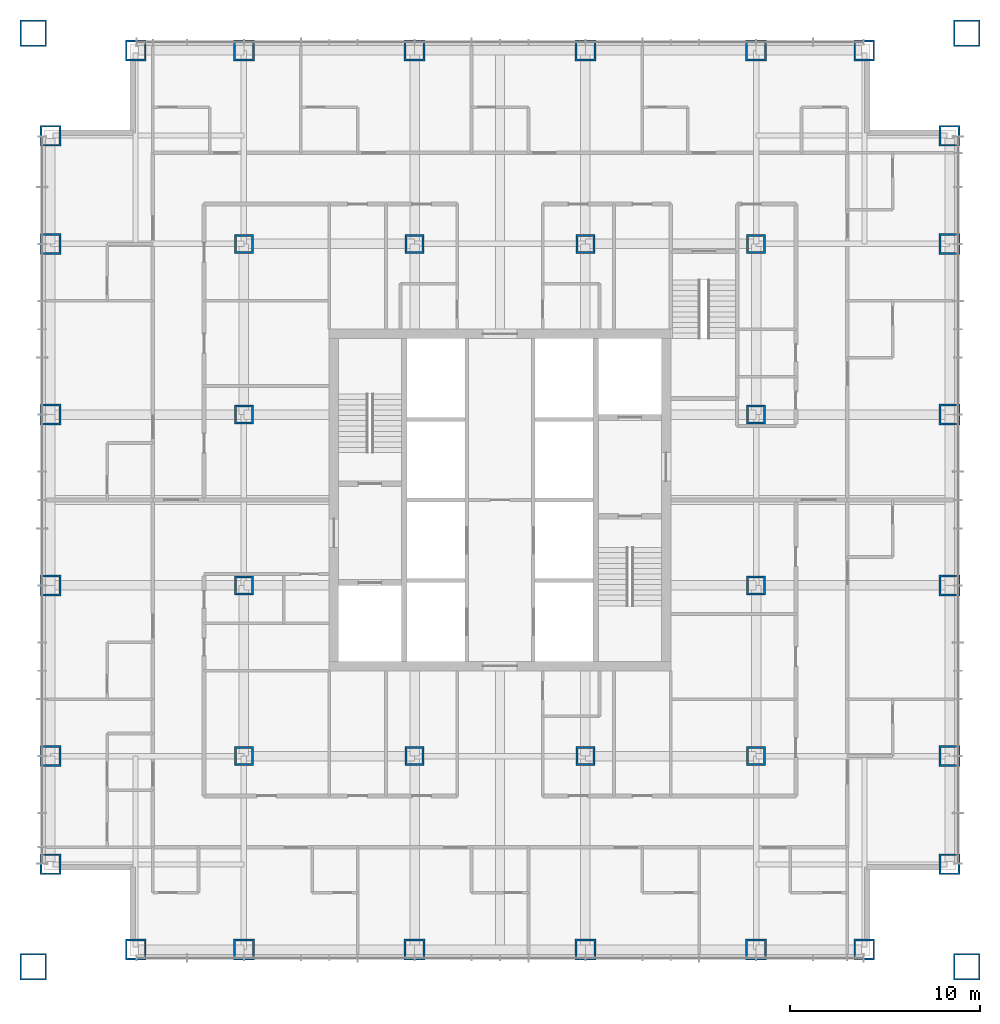
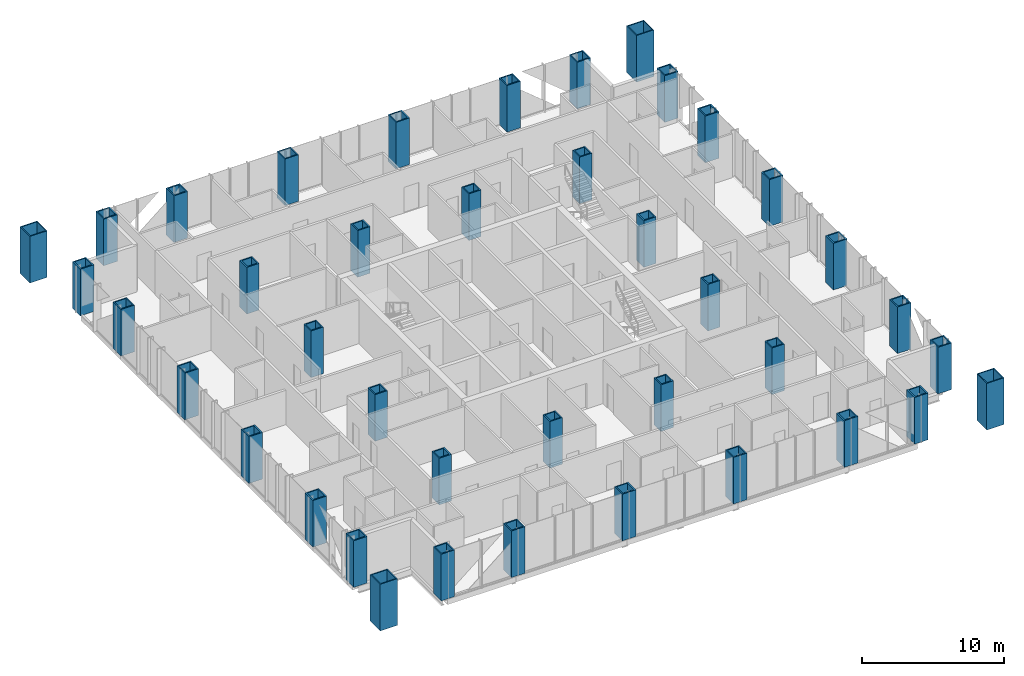
# One storey, part 1 of 13: 40 columns.
"""IFC4 building model written with IfcOpenShell, lengths in metres."""

from ifc_helpers import new_model, si_unit, direction, frame, origin, origin_2d, place, context, subcontext, project, spatial, hollow_rectangle, extrude, material, material_profile, profile_set, type_object, element, save


model = new_model("IFC4")

# Units and contexts
model_context = context("Model", 3, precision=1e-05, world=origin(), true_north=direction((0.0, 1.0)))
body_context = subcontext(model_context, "Body", "Model", "MODEL_VIEW")
ifc_project = project(units=[si_unit("LENGTHUNIT", "METRE"), si_unit("AREAUNIT", "SQUARE_METRE"), si_unit("VOLUMEUNIT", "CUBIC_METRE"), si_unit("PLANEANGLEUNIT", "RADIAN"), si_unit("MASSUNIT", "GRAM", prefix="KILO")], contexts=[model_context])

# Site, building, storey
site_placement = place(None, origin())
site = spatial("IfcSite", under=ifc_project, at=site_placement, CompositionType="ELEMENT")
building_placement = place(site_placement, origin())
building = spatial("IfcBuilding", under=site, at=building_placement, Name="Malebo Sky Hospital", CompositionType="ELEMENT")
storey_placement = place(building_placement, frame((0.0, 0.0, 104.0)))
storey = spatial("IfcBuildingStorey", under=building, at=storey_placement, Name="L24", CompositionType="ELEMENT", Elevation=104.0)

# Columns
ifc_material = material(Name="Steel S460", Category="steel")
ifc_material_profile_1 = material_profile(ifc_material, hollow_rectangle(XDim=1.0, YDim=1.0, WallThickness=0.10009765625, at=origin_2d()), Name="BOX 1000x1000x100")
ifc_profile_set_1 = profile_set([ifc_material_profile_1], Name="Steel S460")
column_type_1 = type_object("IfcColumnType", Name="INNER COLUMN BOX 1000x1000x100", PredefinedType="COLUMN", material=ifc_profile_set_1)
for number, where, z_axis, x_axis, name in (
    (1, (46.5, 48.5, 0.0), (0.0, 0.0, 1.0), (1.0, 0.0, 0.0), "Column IC9 L24"),
    (2, (73.5, 48.5, 0.0), (0.0, 0.0, 1.0), (1.0, 0.0, 0.0), "Column IC9 L24"),
    (3, (73.5, 75.5, 0.0), (0.0, 0.0, 1.0), (1.0, 0.0, 0.0), "Column IC9 L24"),
    (4, (46.5, 75.5, 0.0), (0.0, 0.0, 1.0), (1.0, 0.0, 0.0), "Column IC9 L24"),
    (5, (55.5, 48.5, 0.0), (0.0, 0.0, 1.0), (1.0, 0.0, 0.0), "Column IC9 L24"),
    (6, (64.5, 48.5, 0.0), (0.0, 0.0, 1.0), (1.0, 0.0, 0.0), "Column IC9 L24"),
    (7, (55.5, 75.5, 0.0), (0.0, 0.0, 1.0), (1.0, 0.0, 0.0), "Column IC9 L24"),
    (8, (64.5, 75.5, 0.0), (0.0, 0.0, 1.0), (1.0, 0.0, 0.0), "Column IC9 L24"),
    (9, (46.5, 57.5, 0.0), (0.0, 0.0, 1.0), (1.0, 0.0, 0.0), "Column IC9 L24"),
    (10, (46.5, 66.5, 0.0), (0.0, 0.0, 1.0), (1.0, 0.0, 0.0), "Column IC9 L24"),
    (11, (73.5, 57.5, 0.0), (0.0, 0.0, 1.0), (1.0, 0.0, 0.0), "Column IC9 L24"),
    (12, (73.5, 66.5, 0.0), (0.0, 0.0, 1.0), (1.0, 0.0, 0.0), "Column IC9 L24"),
):
    element("IfcColumn", number, at=place(storey_placement, frame(where, z_axis=z_axis, x_axis=x_axis)), inside=storey, type_object=column_type_1, Name=name, PredefinedType="COLUMN", context=body_context, shape_type="SweptSolid", body=[
        extrude(hollow_rectangle(XDim=1.0, YDim=1.0, WallThickness=0.10009765625, at=origin_2d()), origin(), (0.0, 0.0, 1.0), 4.0),
    ])
ifc_material_profile_2 = material_profile(ifc_material, hollow_rectangle(XDim=1.39990234375, YDim=1.39990234375, WallThickness=0.080078125, at=origin_2d()), Name="BOX 1400x1400x80")
ifc_profile_set_2 = profile_set([ifc_material_profile_2], Name="Steel S460")
column_type_2 = type_object("IfcColumnType", Name="MEGA COLUMN BOX 1400x1400x80", PredefinedType="COLUMN", material=ifc_profile_set_2)
for number, where, z_axis, x_axis, name in (
    (13, (35.39990234375, 37.39990234375, 0.0), (0.0, 0.0, 1.0), (1.0, 0.0, 0.0), "Mega column SW L24"),
    (14, (84.60009765625, 37.39990234375, 0.0), (0.0, 0.0, 1.0), (1.0, 0.0, 0.0), "Mega column SE L24"),
    (15, (84.60009765625, 86.60009765625, 0.0), (0.0, 0.0, 1.0), (1.0, 0.0, 0.0), "Mega column NE L24"),
    (16, (35.39990234375, 86.60009765625, 0.0), (0.0, 0.0, 1.0), (1.0, 0.0, 0.0), "Mega column NW L24"),
):
    element("IfcColumn", number, at=place(storey_placement, frame(where, z_axis=z_axis, x_axis=x_axis)), inside=storey, type_object=column_type_2, Name=name, PredefinedType="COLUMN", context=body_context, shape_type="SweptSolid", body=[
        extrude(hollow_rectangle(XDim=1.39990234375, YDim=1.39990234375, WallThickness=0.080078125, at=origin_2d()), origin(), (0.0, 0.0, 1.0), 4.0),
    ])
ifc_material_profile_3 = material_profile(ifc_material, hollow_rectangle(XDim=1.10009765625, YDim=1.10009765625, WallThickness=0.10009765625, at=origin_2d()), Name="BOX 1100x1100x100")
ifc_profile_set_3 = profile_set([ifc_material_profile_3], Name="Steel S460")
column_type_3 = type_object("IfcColumnType", Name="PERIMETER COLUMN BOX 1100x1100x100", PredefinedType="COLUMN", material=ifc_profile_set_3)
for number, where, z_axis, x_axis, name in (
    (17, (40.800048828125, 38.300048828125, 0.0), (0.0, 0.0, 1.0), (1.0, 0.0, 0.0), "Column PC10 L24"),
    (18, (40.800048828125, 85.699951171875, 0.0), (0.0, 0.0, 1.0), (1.0, 0.0, 0.0), "Column PC10 L24"),
    (19, (36.300048828125, 42.800048828125, 0.0), (0.0, 0.0, 1.0), (1.0, 0.0, 0.0), "Column PC10 L24"),
    (20, (83.699951171875, 42.800048828125, 0.0), (0.0, 0.0, 1.0), (1.0, 0.0, 0.0), "Column PC10 L24"),
    (21, (46.5, 38.300048828125, 0.0), (0.0, 0.0, 1.0), (1.0, 0.0, 0.0), "Column PC10 L24"),
    (22, (46.5, 85.699951171875, 0.0), (0.0, 0.0, 1.0), (1.0, 0.0, 0.0), "Column PC10 L24"),
    (23, (36.300048828125, 48.5, 0.0), (0.0, 0.0, 1.0), (1.0, 0.0, 0.0), "Column PC10 L24"),
    (24, (83.699951171875, 48.5, 0.0), (0.0, 0.0, 1.0), (1.0, 0.0, 0.0), "Column PC10 L24"),
    (25, (55.5, 38.300048828125, 0.0), (0.0, 0.0, 1.0), (1.0, 0.0, 0.0), "Column PC10 L24"),
    (26, (55.5, 85.699951171875, 0.0), (0.0, 0.0, 1.0), (1.0, 0.0, 0.0), "Column PC10 L24"),
    (27, (36.300048828125, 57.5, 0.0), (0.0, 0.0, 1.0), (1.0, 0.0, 0.0), "Column PC10 L24"),
    (28, (83.699951171875, 57.5, 0.0), (0.0, 0.0, 1.0), (1.0, 0.0, 0.0), "Column PC10 L24"),
    (29, (64.5, 38.300048828125, 0.0), (0.0, 0.0, 1.0), (1.0, 0.0, 0.0), "Column PC10 L24"),
    (30, (64.5, 85.699951171875, 0.0), (0.0, 0.0, 1.0), (1.0, 0.0, 0.0), "Column PC10 L24"),
    (31, (36.300048828125, 66.5, 0.0), (0.0, 0.0, 1.0), (1.0, 0.0, 0.0), "Column PC10 L24"),
    (32, (83.699951171875, 66.5, 0.0), (0.0, 0.0, 1.0), (1.0, 0.0, 0.0), "Column PC10 L24"),
    (33, (73.5, 38.300048828125, 0.0), (0.0, 0.0, 1.0), (1.0, 0.0, 0.0), "Column PC10 L24"),
    (34, (73.5, 85.699951171875, 0.0), (0.0, 0.0, 1.0), (1.0, 0.0, 0.0), "Column PC10 L24"),
    (35, (36.300048828125, 75.5, 0.0), (0.0, 0.0, 1.0), (1.0, 0.0, 0.0), "Column PC10 L24"),
    (36, (83.699951171875, 75.5, 0.0), (0.0, 0.0, 1.0), (1.0, 0.0, 0.0), "Column PC10 L24"),
    (37, (79.199951171875, 38.300048828125, 0.0), (0.0, 0.0, 1.0), (1.0, 0.0, 0.0), "Column PC10 L24"),
    (38, (79.199951171875, 85.699951171875, 0.0), (0.0, 0.0, 1.0), (1.0, 0.0, 0.0), "Column PC10 L24"),
    (39, (36.300048828125, 81.199951171875, 0.0), (0.0, 0.0, 1.0), (1.0, 0.0, 0.0), "Column PC10 L24"),
    (40, (83.699951171875, 81.199951171875, 0.0), (0.0, 0.0, 1.0), (1.0, 0.0, 0.0), "Column PC10 L24"),
):
    element("IfcColumn", number, at=place(storey_placement, frame(where, z_axis=z_axis, x_axis=x_axis)), inside=storey, type_object=column_type_3, Name=name, PredefinedType="COLUMN", context=body_context, shape_type="SweptSolid", body=[
        extrude(hollow_rectangle(XDim=1.10009765625, YDim=1.10009765625, WallThickness=0.10009765625, at=origin_2d()), origin(), (0.0, 0.0, 1.0), 4.0),
    ])

save(model, "model.ifc")
